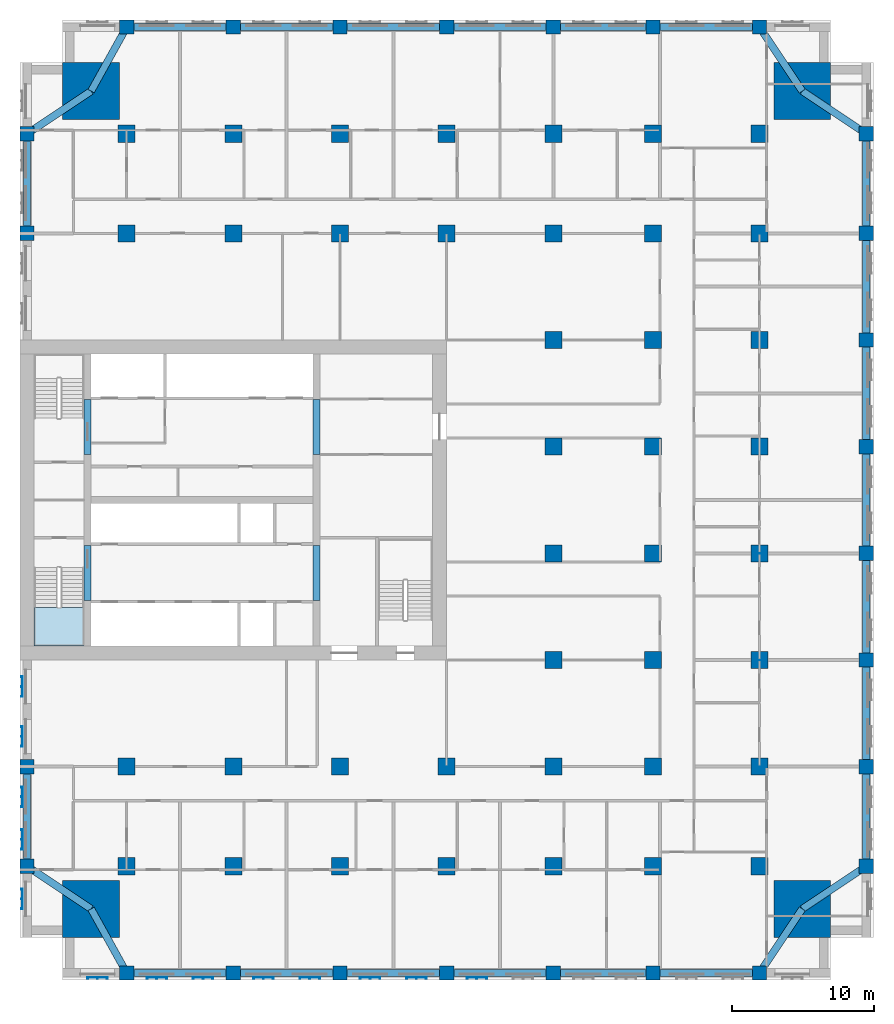
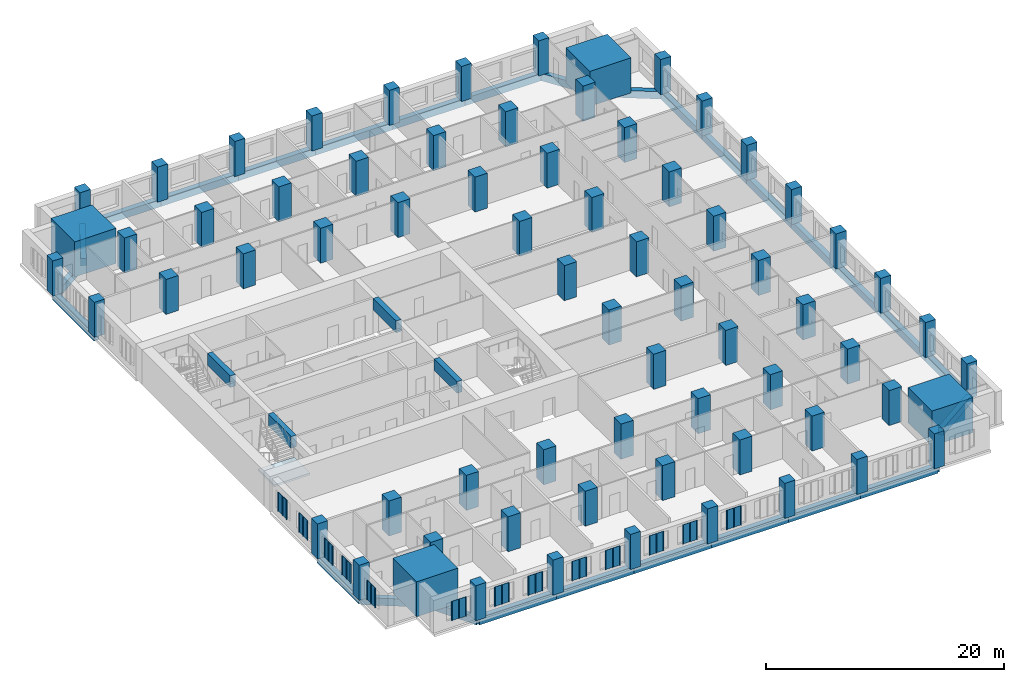
# One storey, part 1 of 14: 70 columns, 33 beams, 13 plates, 1 slab, 1 element without a shape of its own.
"""IFC4 building model written with IfcOpenShell, lengths in metres."""

from ifc_helpers import new_model, si_unit, direction, frame, origin, origin_2d, place, context, subcontext, project, spatial, polyline, rectangle, outline, extrude, material, layer, layer_set, material_profile, profile_set, type_object, element, aggregate, save


model = new_model("IFC4")

# Units and contexts
model_context = context("Model", 3, precision=1e-05, world=origin(), true_north=direction((0.0, 1.0)))
body_context = subcontext(model_context, "Body", "Model", "MODEL_VIEW")
ifc_project = project(units=[si_unit("LENGTHUNIT", "METRE"), si_unit("AREAUNIT", "SQUARE_METRE"), si_unit("VOLUMEUNIT", "CUBIC_METRE"), si_unit("PLANEANGLEUNIT", "RADIAN"), si_unit("MASSUNIT", "GRAM", prefix="KILO")], contexts=[model_context])

# Site, building, storey
site_placement = place(None, origin())
site = spatial("IfcSite", under=ifc_project, at=site_placement, CompositionType="ELEMENT")
building_placement = place(site_placement, origin())
building = spatial("IfcBuilding", under=site, at=building_placement, Name="Tamorin Gate", CompositionType="ELEMENT")
storey_placement = place(building_placement, frame((0.0, 0.0, 66.39990234375)))
storey = spatial("IfcBuildingStorey", under=building, at=storey_placement, Name="L15", CompositionType="ELEMENT", Elevation=66.39990234375)

# Columns
ifc_material_1 = material(Name="Concrete C80/95", Category="concrete")
ifc_material_profile_1 = material_profile(ifc_material_1, rectangle(XDim=1.0, YDim=1.0, at=origin_2d()), Name="RC 1000x1000")
ifc_profile_set_1 = profile_set([ifc_material_profile_1], Name="Concrete C80/95")
column_type_1 = type_object("IfcColumnType", Name="RC column 1000x1000 C80/95", PredefinedType="COLUMN", material=ifc_profile_set_1)
for number, where, z_axis, x_axis, name in (
    (1, (30.5, 45.5, 0.0), (0.0, 0.0, 1.0), (1.0, 0.0, 0.0), "Ring column L15"),
    (2, (30.5, 52.5, 0.0), (0.0, 0.0, 1.0), (1.0, 0.0, 0.0), "Ring column L15"),
    (3, (30.5, 90.0, 0.0), (0.0, 0.0, 1.0), (1.0, 0.0, 0.0), "Ring column L15"),
    (4, (30.5, 97.0, 0.0), (0.0, 0.0, 1.0), (1.0, 0.0, 0.0), "Ring column L15"),
    (5, (37.5, 38.0, 0.0), (0.0, 0.0, 1.0), (1.0, 0.0, 0.0), "Ring column L15"),
    (6, (37.5, 104.5, 0.0), (0.0, 0.0, 1.0), (1.0, 0.0, 0.0), "Ring column L15"),
    (7, (45.0, 38.0, 0.0), (0.0, 0.0, 1.0), (1.0, 0.0, 0.0), "Ring column L15"),
    (8, (45.0, 104.5, 0.0), (0.0, 0.0, 1.0), (1.0, 0.0, 0.0), "Ring column L15"),
    (9, (52.5, 38.0, 0.0), (0.0, 0.0, 1.0), (1.0, 0.0, 0.0), "Ring column L15"),
    (10, (52.5, 104.5, 0.0), (0.0, 0.0, 1.0), (1.0, 0.0, 0.0), "Ring column L15"),
    (11, (60.0, 38.0, 0.0), (0.0, 0.0, 1.0), (1.0, 0.0, 0.0), "Ring column L15"),
    (12, (60.0, 104.5, 0.0), (0.0, 0.0, 1.0), (1.0, 0.0, 0.0), "Ring column L15"),
    (13, (67.5, 38.0, 0.0), (0.0, 0.0, 1.0), (1.0, 0.0, 0.0), "Ring column L15"),
    (14, (67.5, 104.5, 0.0), (0.0, 0.0, 1.0), (1.0, 0.0, 0.0), "Ring column L15"),
    (15, (74.5, 38.0, 0.0), (0.0, 0.0, 1.0), (1.0, 0.0, 0.0), "Ring column L15"),
    (16, (74.5, 104.5, 0.0), (0.0, 0.0, 1.0), (1.0, 0.0, 0.0), "Ring column L15"),
    (17, (82.0, 38.0, 0.0), (0.0, 0.0, 1.0), (1.0, 0.0, 0.0), "Ring column L15"),
    (18, (82.0, 104.5, 0.0), (0.0, 0.0, 1.0), (1.0, 0.0, 0.0), "Ring column L15"),
    (19, (89.5, 45.5, 0.0), (0.0, 0.0, 1.0), (1.0, 0.0, 0.0), "Ring column L15"),
    (20, (89.5, 52.5, 0.0), (0.0, 0.0, 1.0), (1.0, 0.0, 0.0), "Ring column L15"),
    (21, (89.5, 60.0, 0.0), (0.0, 0.0, 1.0), (1.0, 0.0, 0.0), "Ring column L15"),
    (22, (89.5, 67.5, 0.0), (0.0, 0.0, 1.0), (1.0, 0.0, 0.0), "Ring column L15"),
    (23, (89.5, 75.0, 0.0), (0.0, 0.0, 1.0), (1.0, 0.0, 0.0), "Ring column L15"),
    (24, (89.5, 82.5, 0.0), (0.0, 0.0, 1.0), (1.0, 0.0, 0.0), "Ring column L15"),
    (25, (89.5, 90.0, 0.0), (0.0, 0.0, 1.0), (1.0, 0.0, 0.0), "Ring column L15"),
    (26, (89.5, 97.0, 0.0), (0.0, 0.0, 1.0), (1.0, 0.0, 0.0), "Ring column L15"),
):
    element("IfcColumn", number, at=place(storey_placement, frame(where, z_axis=z_axis, x_axis=x_axis)), inside=storey, type_object=column_type_1, Name=name, PredefinedType="COLUMN", context=body_context, shape_type="SweptSolid", body=[
        extrude(rectangle(XDim=1.0, YDim=1.0, at=origin_2d()), origin(), (0.0, 0.0, 1.0), 3.60009765625),
    ])
ifc_material_profile_2 = material_profile(ifc_material_1, rectangle(XDim=1.199951171875, YDim=1.199951171875, at=origin_2d()), Name="RC 1200x1200")
ifc_profile_set_2 = profile_set([ifc_material_profile_2], Name="Concrete C80/95")
column_type_2 = type_object("IfcColumnType", Name="RC column 1200x1200 C80/95", PredefinedType="COLUMN", material=ifc_profile_set_2)
for number, where, z_axis, x_axis, name in (
    (27, (37.5, 45.5, 0.0), (0.0, 0.0, 1.0), (1.0, 0.0, 0.0), "Interior column L15"),
    (28, (37.5, 52.5, 0.0), (0.0, 0.0, 1.0), (1.0, 0.0, 0.0), "Interior column L15"),
    (29, (37.5, 90.0, 0.0), (0.0, 0.0, 1.0), (1.0, 0.0, 0.0), "Interior column L15"),
    (30, (37.5, 97.0, 0.0), (0.0, 0.0, 1.0), (1.0, 0.0, 0.0), "Interior column L15"),
    (31, (45.0, 45.5, 0.0), (0.0, 0.0, 1.0), (1.0, 0.0, 0.0), "Interior column L15"),
    (32, (45.0, 52.5, 0.0), (0.0, 0.0, 1.0), (1.0, 0.0, 0.0), "Interior column L15"),
    (33, (45.0, 90.0, 0.0), (0.0, 0.0, 1.0), (1.0, 0.0, 0.0), "Interior column L15"),
    (34, (45.0, 97.0, 0.0), (0.0, 0.0, 1.0), (1.0, 0.0, 0.0), "Interior column L15"),
    (35, (52.5, 45.5, 0.0), (0.0, 0.0, 1.0), (1.0, 0.0, 0.0), "Interior column L15"),
    (36, (52.5, 52.5, 0.0), (0.0, 0.0, 1.0), (1.0, 0.0, 0.0), "Interior column L15"),
    (37, (52.5, 90.0, 0.0), (0.0, 0.0, 1.0), (1.0, 0.0, 0.0), "Interior column L15"),
    (38, (52.5, 97.0, 0.0), (0.0, 0.0, 1.0), (1.0, 0.0, 0.0), "Interior column L15"),
    (39, (60.0, 45.5, 0.0), (0.0, 0.0, 1.0), (1.0, 0.0, 0.0), "Interior column L15"),
    (40, (60.0, 52.5, 0.0), (0.0, 0.0, 1.0), (1.0, 0.0, 0.0), "Interior column L15"),
    (41, (60.0, 90.0, 0.0), (0.0, 0.0, 1.0), (1.0, 0.0, 0.0), "Interior column L15"),
    (42, (60.0, 97.0, 0.0), (0.0, 0.0, 1.0), (1.0, 0.0, 0.0), "Interior column L15"),
    (43, (67.5, 45.5, 0.0), (0.0, 0.0, 1.0), (1.0, 0.0, 0.0), "Interior column L15"),
    (44, (67.5, 52.5, 0.0), (0.0, 0.0, 1.0), (1.0, 0.0, 0.0), "Interior column L15"),
    (45, (67.5, 60.0, 0.0), (0.0, 0.0, 1.0), (1.0, 0.0, 0.0), "Interior column L15"),
    (46, (67.5, 67.5, 0.0), (0.0, 0.0, 1.0), (1.0, 0.0, 0.0), "Interior column L15"),
    (47, (67.5, 75.0, 0.0), (0.0, 0.0, 1.0), (1.0, 0.0, 0.0), "Interior column L15"),
    (48, (67.5, 82.5, 0.0), (0.0, 0.0, 1.0), (1.0, 0.0, 0.0), "Interior column L15"),
    (49, (67.5, 90.0, 0.0), (0.0, 0.0, 1.0), (1.0, 0.0, 0.0), "Interior column L15"),
    (50, (67.5, 97.0, 0.0), (0.0, 0.0, 1.0), (1.0, 0.0, 0.0), "Interior column L15"),
    (51, (74.5, 45.5, 0.0), (0.0, 0.0, 1.0), (1.0, 0.0, 0.0), "Interior column L15"),
    (52, (74.5, 52.5, 0.0), (0.0, 0.0, 1.0), (1.0, 0.0, 0.0), "Interior column L15"),
    (53, (74.5, 60.0, 0.0), (0.0, 0.0, 1.0), (1.0, 0.0, 0.0), "Interior column L15"),
    (54, (74.5, 67.5, 0.0), (0.0, 0.0, 1.0), (1.0, 0.0, 0.0), "Interior column L15"),
    (55, (74.5, 75.0, 0.0), (0.0, 0.0, 1.0), (1.0, 0.0, 0.0), "Interior column L15"),
    (56, (74.5, 82.5, 0.0), (0.0, 0.0, 1.0), (1.0, 0.0, 0.0), "Interior column L15"),
    (57, (74.5, 90.0, 0.0), (0.0, 0.0, 1.0), (1.0, 0.0, 0.0), "Interior column L15"),
    (58, (74.5, 97.0, 0.0), (0.0, 0.0, 1.0), (1.0, 0.0, 0.0), "Interior column L15"),
    (59, (82.0, 45.5, 0.0), (0.0, 0.0, 1.0), (1.0, 0.0, 0.0), "Interior column L15"),
    (60, (82.0, 52.5, 0.0), (0.0, 0.0, 1.0), (1.0, 0.0, 0.0), "Interior column L15"),
    (61, (82.0, 60.0, 0.0), (0.0, 0.0, 1.0), (1.0, 0.0, 0.0), "Interior column L15"),
    (62, (82.0, 67.5, 0.0), (0.0, 0.0, 1.0), (1.0, 0.0, 0.0), "Interior column L15"),
    (63, (82.0, 75.0, 0.0), (0.0, 0.0, 1.0), (1.0, 0.0, 0.0), "Interior column L15"),
    (64, (82.0, 82.5, 0.0), (0.0, 0.0, 1.0), (1.0, 0.0, 0.0), "Interior column L15"),
    (65, (82.0, 90.0, 0.0), (0.0, 0.0, 1.0), (1.0, 0.0, 0.0), "Interior column L15"),
    (66, (82.0, 97.0, 0.0), (0.0, 0.0, 1.0), (1.0, 0.0, 0.0), "Interior column L15"),
):
    element("IfcColumn", number, at=place(storey_placement, frame(where, z_axis=z_axis, x_axis=x_axis)), inside=storey, type_object=column_type_2, Name=name, PredefinedType="COLUMN", context=body_context, shape_type="SweptSolid", body=[
        extrude(rectangle(XDim=1.199951171875, YDim=1.199951171875, at=origin_2d()), origin(), (0.0, 0.0, 1.0), 3.60009765625),
    ])
ifc_material_profile_3 = material_profile(ifc_material_1, rectangle(XDim=4.0, YDim=4.0, at=origin_2d()), Name="RC 4000x4000")
ifc_profile_set_3 = profile_set([ifc_material_profile_3], Name="Concrete C80/95")
column_type_3 = type_object("IfcColumnType", Name="RC column 4000x4000 C80/95", PredefinedType="COLUMN", material=ifc_profile_set_3)
for number, where, z_axis, x_axis, name in (
    (67, (35.0, 42.5, 0.0), (0.0, 0.0, 1.0), (1.0, 0.0, 0.0), "Mega column SW L15"),
    (68, (85.0, 42.5, 0.0), (0.0, 0.0, 1.0), (1.0, 0.0, 0.0), "Mega column SE L15"),
    (69, (35.0, 100.0, 0.0), (0.0, 0.0, 1.0), (1.0, 0.0, 0.0), "Mega column NW L15"),
    (70, (85.0, 100.0, 0.0), (0.0, 0.0, 1.0), (1.0, 0.0, 0.0), "Mega column NE L15"),
):
    element("IfcColumn", number, at=place(storey_placement, frame(where, z_axis=z_axis, x_axis=x_axis)), inside=storey, type_object=column_type_3, Name=name, PredefinedType="COLUMN", context=body_context, shape_type="SweptSolid", body=[
        extrude(rectangle(XDim=4.0, YDim=4.0, at=origin_2d()), origin(), (0.0, 0.0, 1.0), 3.60009765625),
    ])

# Beams
ifc_material_profile_4 = material_profile(ifc_material_1, rectangle(XDim=0.5, YDim=1.199951171875, at=origin_2d()), Name="RC 500x1200")
ifc_profile_set_4 = profile_set([ifc_material_profile_4], Name="Concrete C80/95")
beam_type_1 = type_object("IfcBeamType", Name="RC coupling beam 500x1200 C80/95", PredefinedType="BEAM", material=ifc_profile_set_4)
for number, where, z_axis, x_axis, name in (
    (71, (34.75, 64.199951171875, 3.0), (0.0, 1.0, 0.0), (-1.0, 0.0, 0.0), "Coupling beam L15"),
    (72, (34.75, 74.449951171875, 3.0), (0.0, 1.0, 0.0), (-1.0, 0.0, 0.0), "Coupling beam L15"),
    (73, (50.85009765625, 64.199951171875, 3.0), (0.0, 1.0, 0.0), (-1.0, 0.0, 0.0), "Coupling beam L15"),
    (74, (50.85009765625, 74.449951171875, 3.0), (0.0, 1.0, 0.0), (-1.0, 0.0, 0.0), "Coupling beam L15"),
):
    element("IfcBeam", number, at=place(storey_placement, frame(where, z_axis=z_axis, x_axis=x_axis)), inside=storey, type_object=beam_type_1, Name=name, PredefinedType="BEAM", context=body_context, shape_type="SweptSolid", body=[
        extrude(rectangle(XDim=0.5, YDim=1.199951171875, at=origin_2d()), origin(), (0.0, 0.0, 1.0), 3.85009765625),
    ])
ifc_material_2 = material(Name="Concrete C50/60", Category="concrete")
ifc_material_profile_5 = material_profile(ifc_material_2, rectangle(XDim=0.5, YDim=0.75, at=origin_2d()), Name="RC 500x750")
ifc_profile_set_5 = profile_set([ifc_material_profile_5], Name="Concrete C50/60")
beam_type_2 = type_object("IfcBeamType", Name="RC spandrel 500x750 C50/60", PredefinedType="BEAM", material=ifc_profile_set_5)
for number, where, z_axis, x_axis, name in (
    (75, (37.5, 38.0, -0.375), (1.0, 0.0, 0.0), (0.0, 1.0, 0.0), "Spandrel beam L15"),
    (76, (45.0, 38.0, -0.375), (1.0, 0.0, 0.0), (0.0, 1.0, 0.0), "Spandrel beam L15"),
    (77, (52.5, 38.0, -0.375), (1.0, 0.0, 0.0), (0.0, 1.0, 0.0), "Spandrel beam L15"),
    (78, (60.0, 38.0, -0.375), (1.0, 0.0, 0.0), (0.0, 1.0, 0.0), "Spandrel beam L15"),
):
    element("IfcBeam", number, at=place(storey_placement, frame(where, z_axis=z_axis, x_axis=x_axis)), inside=storey, type_object=beam_type_2, Name=name, PredefinedType="BEAM", context=body_context, shape_type="SweptSolid", body=[
        extrude(rectangle(XDim=0.5, YDim=0.75, at=origin_2d()), origin(), (0.0, 0.0, 1.0), 7.5),
    ])
beam_1_placement = place(storey_placement, frame((67.5, 38.0, -0.375), z_axis=(1.0, 0.0, 0.0), x_axis=(0.0, 1.0, 0.0)))
element("IfcBeam", 79, at=beam_1_placement, inside=storey, type_object=beam_type_2, Name="Spandrel beam L15", PredefinedType="BEAM", context=body_context, shape_type="SweptSolid", body=[
    extrude(rectangle(XDim=0.5, YDim=0.75, at=origin_2d()), origin(), (0.0, 0.0, 1.0), 7.0),
])
beam_2_placement = place(storey_placement, frame((74.5, 38.0, -0.375), z_axis=(1.0, 0.0, 0.0), x_axis=(0.0, 1.0, 0.0)))
element("IfcBeam", 80, at=beam_2_placement, inside=storey, type_object=beam_type_2, Name="Spandrel beam L15", PredefinedType="BEAM", context=body_context, shape_type="SweptSolid", body=[
    extrude(rectangle(XDim=0.5, YDim=0.75, at=origin_2d()), origin(), (0.0, 0.0, 1.0), 7.5),
])
beam_3_placement = place(storey_placement, frame((89.5, 45.5, -0.375), z_axis=(0.0, 1.0, 0.0), x_axis=(-1.0, 0.0, 0.0)))
element("IfcBeam", 81, at=beam_3_placement, inside=storey, type_object=beam_type_2, Name="Spandrel beam L15", PredefinedType="BEAM", context=body_context, shape_type="SweptSolid", body=[
    extrude(rectangle(XDim=0.5, YDim=0.75, at=origin_2d()), origin(), (0.0, 0.0, 1.0), 7.0),
])
for number, where, z_axis, x_axis, name in (
    (82, (89.5, 52.5, -0.375), (0.0, 1.0, 0.0), (-1.0, 0.0, 0.0), "Spandrel beam L15"),
    (83, (89.5, 60.0, -0.375), (0.0, 1.0, 0.0), (-1.0, 0.0, 0.0), "Spandrel beam L15"),
    (84, (89.5, 67.5, -0.375), (0.0, 1.0, 0.0), (-1.0, 0.0, 0.0), "Spandrel beam L15"),
    (85, (89.5, 75.0, -0.375), (0.0, 1.0, 0.0), (-1.0, 0.0, 0.0), "Spandrel beam L15"),
    (86, (89.5, 82.5, -0.375), (0.0, 1.0, 0.0), (-1.0, 0.0, 0.0), "Spandrel beam L15"),
):
    element("IfcBeam", number, at=place(storey_placement, frame(where, z_axis=z_axis, x_axis=x_axis)), inside=storey, type_object=beam_type_2, Name=name, PredefinedType="BEAM", context=body_context, shape_type="SweptSolid", body=[
        extrude(rectangle(XDim=0.5, YDim=0.75, at=origin_2d()), origin(), (0.0, 0.0, 1.0), 7.5),
    ])
beam_4_placement = place(storey_placement, frame((89.5, 90.0, -0.375), z_axis=(0.0, 1.0, 0.0), x_axis=(-1.0, 0.0, 0.0)))
element("IfcBeam", 87, at=beam_4_placement, inside=storey, type_object=beam_type_2, Name="Spandrel beam L15", PredefinedType="BEAM", context=body_context, shape_type="SweptSolid", body=[
    extrude(rectangle(XDim=0.5, YDim=0.75, at=origin_2d()), origin(), (0.0, 0.0, 1.0), 7.0),
])
beam_5_placement = place(storey_placement, frame((82.0, 104.5, -0.375), z_axis=(-1.0, 0.0, 0.0), x_axis=(0.0, -1.0, 0.0)))
element("IfcBeam", 88, at=beam_5_placement, inside=storey, type_object=beam_type_2, Name="Spandrel beam L15", PredefinedType="BEAM", context=body_context, shape_type="SweptSolid", body=[
    extrude(rectangle(XDim=0.5, YDim=0.75, at=origin_2d()), origin(), (0.0, 0.0, 1.0), 7.5),
])
beam_6_placement = place(storey_placement, frame((74.5, 104.5, -0.375), z_axis=(-1.0, 0.0, 0.0), x_axis=(0.0, -1.0, 0.0)))
element("IfcBeam", 89, at=beam_6_placement, inside=storey, type_object=beam_type_2, Name="Spandrel beam L15", PredefinedType="BEAM", context=body_context, shape_type="SweptSolid", body=[
    extrude(rectangle(XDim=0.5, YDim=0.75, at=origin_2d()), origin(), (0.0, 0.0, 1.0), 7.0),
])
for number, where, z_axis, x_axis, name in (
    (90, (67.5, 104.5, -0.375), (-1.0, 0.0, 0.0), (0.0, -1.0, 0.0), "Spandrel beam L15"),
    (91, (60.0, 104.5, -0.375), (-1.0, 0.0, 0.0), (0.0, -1.0, 0.0), "Spandrel beam L15"),
    (92, (52.5, 104.5, -0.375), (-1.0, 0.0, 0.0), (0.0, -1.0, 0.0), "Spandrel beam L15"),
    (93, (45.0, 104.5, -0.375), (-1.0, 0.0, 0.0), (0.0, -1.0, 0.0), "Spandrel beam L15"),
):
    element("IfcBeam", number, at=place(storey_placement, frame(where, z_axis=z_axis, x_axis=x_axis)), inside=storey, type_object=beam_type_2, Name=name, PredefinedType="BEAM", context=body_context, shape_type="SweptSolid", body=[
        extrude(rectangle(XDim=0.5, YDim=0.75, at=origin_2d()), origin(), (0.0, 0.0, 1.0), 7.5),
    ])
for number, where, z_axis, x_axis, name in (
    (94, (30.5, 97.0, -0.375), (0.0, -1.0, 0.0), (1.0, 0.0, 0.0), "Spandrel beam L15"),
    (95, (30.5, 52.5, -0.375), (0.0, -1.0, 0.0), (1.0, 0.0, 0.0), "Spandrel beam L15"),
):
    element("IfcBeam", number, at=place(storey_placement, frame(where, z_axis=z_axis, x_axis=x_axis)), inside=storey, type_object=beam_type_2, Name=name, PredefinedType="BEAM", context=body_context, shape_type="SweptSolid", body=[
        extrude(rectangle(XDim=0.5, YDim=0.75, at=origin_2d()), origin(), (0.0, 0.0, 1.0), 7.0),
    ])
beam_7_placement = place(storey_placement, frame((35.0, 42.5, -0.375), z_axis=(0.485642931179, -0.874157276122, 0.0), x_axis=(0.874157276122, 0.485642931179, 0.0)))
element("IfcBeam", 96, at=beam_7_placement, inside=storey, type_object=beam_type_2, Name="Corner tie beam L15", PredefinedType="BEAM", context=body_context, shape_type="SweptSolid", body=[
    extrude(rectangle(XDim=0.5, YDim=0.75, at=origin_2d()), origin(), (0.0, 0.0, 1.0), 5.147705078125),
])
for number, where, z_axis, x_axis, name in (
    (97, (35.0, 42.5, -0.375), (-0.832050294338, 0.554700196225, 0.0), (-0.554700196225, -0.832050294338, 0.0), "Corner tie beam L15"),
    (98, (85.0, 42.5, -0.375), (-0.554700196225, -0.832050294338, 0.0), (0.832050294338, -0.554700196225, 0.0), "Corner tie beam L15"),
    (99, (85.0, 42.5, -0.375), (0.832050294338, 0.554700196225, 0.0), (-0.554700196225, 0.832050294338, 0.0), "Corner tie beam L15"),
):
    element("IfcBeam", number, at=place(storey_placement, frame(where, z_axis=z_axis, x_axis=x_axis)), inside=storey, type_object=beam_type_2, Name=name, PredefinedType="BEAM", context=body_context, shape_type="SweptSolid", body=[
        extrude(rectangle(XDim=0.5, YDim=0.75, at=origin_2d()), origin(), (0.0, 0.0, 1.0), 5.408447265625),
    ])
beam_8_placement = place(storey_placement, frame((35.0, 100.0, -0.375), z_axis=(0.485642931179, 0.874157276122, 0.0), x_axis=(-0.874157276122, 0.485642931179, 0.0)))
element("IfcBeam", 100, at=beam_8_placement, inside=storey, type_object=beam_type_2, Name="Corner tie beam L15", PredefinedType="BEAM", context=body_context, shape_type="SweptSolid", body=[
    extrude(rectangle(XDim=0.5, YDim=0.75, at=origin_2d()), origin(), (0.0, 0.0, 1.0), 5.147705078125),
])
for number, where, z_axis, x_axis, name in (
    (101, (35.0, 100.0, -0.375), (-0.832050294338, -0.554700196225, 0.0), (0.554700196225, -0.832050294338, 0.0), "Corner tie beam L15"),
    (102, (85.0, 100.0, -0.375), (-0.554700196225, 0.832050294338, 0.0), (-0.832050294338, -0.554700196225, 0.0), "Corner tie beam L15"),
    (103, (85.0, 100.0, -0.375), (0.832050294338, -0.554700196225, 0.0), (0.554700196225, 0.832050294338, 0.0), "Corner tie beam L15"),
):
    element("IfcBeam", number, at=place(storey_placement, frame(where, z_axis=z_axis, x_axis=x_axis)), inside=storey, type_object=beam_type_2, Name=name, PredefinedType="BEAM", context=body_context, shape_type="SweptSolid", body=[
        extrude(rectangle(XDim=0.5, YDim=0.75, at=origin_2d()), origin(), (0.0, 0.0, 1.0), 5.408447265625),
    ])

# Stair, slab
ifc_material_3 = material(Name="Concrete C40/50", Category="concrete")
stair_type = type_object("IfcStairType", Name="Exit stair", PredefinedType="HALF_TURN_STAIR", material=ifc_material_3)
stair_placement = place(storey_placement, origin())
stair = element("IfcStair", 104, at=stair_placement, inside=storey, type_object=stair_type, Name="L15 stair ST1", PredefinedType="HALF_TURN_STAIR")
ifc_layer_1 = layer(ifc_material_3, 0.199951171875)
ifc_layer_set_1 = layer_set([ifc_layer_1], Name="Exit stair landing 200")
slab_type = type_object("IfcSlabType", Name="Exit stair landing 200", PredefinedType="LANDING", material=ifc_layer_set_1)
slab_placement = place(storey_placement, frame((0.0, 0.0, 1.60009765625)))
slab = element("IfcSlab", 105, at=slab_placement, type_object=slab_type, Name="ST1 landing 1", PredefinedType="LANDING", context=body_context, shape_type="SweptSolid", body=[
    extrude(outline(polyline([(31.0, 63.699951171875), (31.0, 61.0), (34.5, 61.0), (34.5, 63.699951171875), (31.0, 63.699951171875)])), origin(), (0.0, 0.0, 1.0), 0.199951171875),
])
aggregate(stair, [slab])

# Plates
ifc_material_4 = material(Name="Perforated pale aluminium sheet", Category="aluminium")
ifc_layer_2 = layer(ifc_material_4, 0.0400390625)
ifc_layer_set_2 = layer_set([ifc_layer_2], Name="Pale metal solar screen 1440")
plate_type = type_object("IfcPlateType", Name="Pale metal solar screen 1440", PredefinedType="SHEET", material=ifc_layer_set_2)
plate_1_placement = place(storey_placement, frame((0.0, 0.0, 0.710205078125)))
element("IfcPlate", 106, at=plate_1_placement, inside=storey, type_object=plate_type, Name="Perforated solar screen", PredefinedType="SHEET", context=body_context, shape_type="SweptSolid", body=[
    extrude(outline(polyline([(34.72998046875, 37.659912109375), (34.72998046875, 37.699951171875), (34.7900390625, 37.699951171875), (35.419921875, 37.699951171875), (35.47998046875, 37.699951171875), (36.110107421875, 37.699951171875), (36.169921875, 37.699951171875), (36.169921875, 37.659912109375), (36.169921875, 37.60009765625), (36.110107421875, 37.60009765625), (36.110107421875, 37.659912109375), (35.47998046875, 37.659912109375), (35.47998046875, 37.60009765625), (35.419921875, 37.60009765625), (35.419921875, 37.659912109375), (34.7900390625, 37.659912109375), (34.7900390625, 37.60009765625), (34.72998046875, 37.60009765625), (34.72998046875, 37.659912109375)])), origin(), (0.0, 0.0, 1.0), 1.97998046875),
])
plate_2_placement = place(storey_placement, frame((0.0, 0.0, 0.710205078125)))
element("IfcPlate", 107, at=plate_2_placement, inside=storey, type_object=plate_type, Name="Perforated solar screen", PredefinedType="SHEET", context=body_context, shape_type="SweptSolid", body=[
    extrude(outline(polyline([(38.905029296875, 37.659912109375), (38.905029296875, 37.699951171875), (38.965087890625, 37.699951171875), (39.594970703125, 37.699951171875), (39.655029296875, 37.699951171875), (40.284912109375, 37.699951171875), (40.344970703125, 37.699951171875), (40.344970703125, 37.699951171875), (40.344970703125, 37.659912109375), (40.344970703125, 37.659912109375), (40.344970703125, 37.60009765625), (40.284912109375, 37.60009765625), (40.284912109375, 37.659912109375), (39.655029296875, 37.659912109375), (39.655029296875, 37.60009765625), (39.594970703125, 37.60009765625), (39.594970703125, 37.659912109375), (38.965087890625, 37.659912109375), (38.965087890625, 37.60009765625), (38.905029296875, 37.60009765625), (38.905029296875, 37.659912109375)])), origin(), (0.0, 0.0, 1.0), 1.97998046875),
])
plate_3_placement = place(storey_placement, frame((0.0, 0.0, 0.710205078125)))
element("IfcPlate", 108, at=plate_3_placement, inside=storey, type_object=plate_type, Name="Perforated solar screen", PredefinedType="SHEET", context=body_context, shape_type="SweptSolid", body=[
    extrude(outline(polyline([(42.155029296875, 37.659912109375), (42.155029296875, 37.699951171875), (42.215087890625, 37.699951171875), (42.844970703125, 37.699951171875), (42.905029296875, 37.699951171875), (43.534912109375, 37.699951171875), (43.594970703125, 37.699951171875), (43.594970703125, 37.659912109375), (43.594970703125, 37.60009765625), (43.534912109375, 37.60009765625), (43.534912109375, 37.659912109375), (42.905029296875, 37.659912109375), (42.905029296875, 37.60009765625), (42.844970703125, 37.60009765625), (42.844970703125, 37.659912109375), (42.215087890625, 37.659912109375), (42.215087890625, 37.60009765625), (42.155029296875, 37.60009765625), (42.155029296875, 37.659912109375)])), origin(), (0.0, 0.0, 1.0), 1.97998046875),
])
plate_4_placement = place(storey_placement, frame((0.0, 0.0, 0.710205078125)))
element("IfcPlate", 109, at=plate_4_placement, inside=storey, type_object=plate_type, Name="Perforated solar screen", PredefinedType="SHEET", context=body_context, shape_type="SweptSolid", body=[
    extrude(outline(polyline([(46.405029296875, 37.659912109375), (46.405029296875, 37.699951171875), (46.465087890625, 37.699951171875), (47.094970703125, 37.699951171875), (47.155029296875, 37.699951171875), (47.784912109375, 37.699951171875), (47.844970703125, 37.699951171875), (47.844970703125, 37.659912109375), (47.844970703125, 37.60009765625), (47.784912109375, 37.60009765625), (47.784912109375, 37.659912109375), (47.155029296875, 37.659912109375), (47.155029296875, 37.60009765625), (47.094970703125, 37.60009765625), (47.094970703125, 37.659912109375), (46.465087890625, 37.659912109375), (46.465087890625, 37.60009765625), (46.405029296875, 37.60009765625), (46.405029296875, 37.659912109375)])), origin(), (0.0, 0.0, 1.0), 1.97998046875),
])
plate_5_placement = place(storey_placement, frame((0.0, 0.0, 0.710205078125)))
element("IfcPlate", 110, at=plate_5_placement, inside=storey, type_object=plate_type, Name="Perforated solar screen", PredefinedType="SHEET", context=body_context, shape_type="SweptSolid", body=[
    extrude(outline(polyline([(49.655029296875, 37.659912109375), (49.655029296875, 37.699951171875), (49.715087890625, 37.699951171875), (50.344970703125, 37.699951171875), (50.405029296875, 37.699951171875), (51.034912109375, 37.699951171875), (51.094970703125, 37.699951171875), (51.094970703125, 37.659912109375), (51.094970703125, 37.60009765625), (51.034912109375, 37.60009765625), (51.034912109375, 37.659912109375), (50.405029296875, 37.659912109375), (50.405029296875, 37.60009765625), (50.344970703125, 37.60009765625), (50.344970703125, 37.659912109375), (49.715087890625, 37.659912109375), (49.715087890625, 37.60009765625), (49.655029296875, 37.60009765625), (49.655029296875, 37.659912109375)])), origin(), (0.0, 0.0, 1.0), 1.97998046875),
])
plate_6_placement = place(storey_placement, frame((0.0, 0.0, 0.710205078125)))
element("IfcPlate", 111, at=plate_6_placement, inside=storey, type_object=plate_type, Name="Perforated solar screen", PredefinedType="SHEET", context=body_context, shape_type="SweptSolid", body=[
    extrude(outline(polyline([(53.905029296875, 37.659912109375), (53.905029296875, 37.699951171875), (53.965087890625, 37.699951171875), (54.594970703125, 37.699951171875), (54.655029296875, 37.699951171875), (55.284912109375, 37.699951171875), (55.344970703125, 37.699951171875), (55.344970703125, 37.659912109375), (55.344970703125, 37.60009765625), (55.284912109375, 37.60009765625), (55.284912109375, 37.659912109375), (54.655029296875, 37.659912109375), (54.655029296875, 37.60009765625), (54.594970703125, 37.60009765625), (54.594970703125, 37.659912109375), (53.965087890625, 37.659912109375), (53.965087890625, 37.60009765625), (53.905029296875, 37.60009765625), (53.905029296875, 37.659912109375)])), origin(), (0.0, 0.0, 1.0), 1.97998046875),
])
plate_7_placement = place(storey_placement, frame((0.0, 0.0, 0.710205078125)))
element("IfcPlate", 112, at=plate_7_placement, inside=storey, type_object=plate_type, Name="Perforated solar screen", PredefinedType="SHEET", context=body_context, shape_type="SweptSolid", body=[
    extrude(outline(polyline([(57.155029296875, 37.659912109375), (57.155029296875, 37.699951171875), (57.215087890625, 37.699951171875), (57.844970703125, 37.699951171875), (57.905029296875, 37.699951171875), (58.534912109375, 37.699951171875), (58.594970703125, 37.699951171875), (58.594970703125, 37.659912109375), (58.594970703125, 37.60009765625), (58.534912109375, 37.60009765625), (58.534912109375, 37.659912109375), (57.905029296875, 37.659912109375), (57.905029296875, 37.60009765625), (57.844970703125, 37.60009765625), (57.844970703125, 37.659912109375), (57.215087890625, 37.659912109375), (57.215087890625, 37.60009765625), (57.155029296875, 37.60009765625), (57.155029296875, 37.659912109375)])), origin(), (0.0, 0.0, 1.0), 1.97998046875),
])
plate_8_placement = place(storey_placement, frame((0.0, 0.0, 0.710205078125)))
element("IfcPlate", 113, at=plate_8_placement, inside=storey, type_object=plate_type, Name="Perforated solar screen", PredefinedType="SHEET", context=body_context, shape_type="SweptSolid", body=[
    extrude(outline(polyline([(61.405029296875, 37.659912109375), (61.405029296875, 37.699951171875), (61.465087890625, 37.699951171875), (62.094970703125, 37.699951171875), (62.155029296875, 37.699951171875), (62.784912109375, 37.699951171875), (62.844970703125, 37.699951171875), (62.844970703125, 37.659912109375), (62.844970703125, 37.60009765625), (62.784912109375, 37.60009765625), (62.784912109375, 37.659912109375), (62.155029296875, 37.659912109375), (62.155029296875, 37.60009765625), (62.094970703125, 37.60009765625), (62.094970703125, 37.659912109375), (61.465087890625, 37.659912109375), (61.465087890625, 37.60009765625), (61.405029296875, 37.60009765625), (61.405029296875, 37.659912109375)])), origin(), (0.0, 0.0, 1.0), 1.97998046875),
])
plate_9_placement = place(storey_placement, frame((0.0, 0.0, 0.710205078125)))
element("IfcPlate", 114, at=plate_9_placement, inside=storey, type_object=plate_type, Name="Perforated solar screen", PredefinedType="SHEET", context=body_context, shape_type="SweptSolid", body=[
    extrude(outline(polyline([(30.159912109375, 55.344970703125), (30.199951171875, 55.344970703125), (30.199951171875, 55.284912109375), (30.199951171875, 54.655029296875), (30.199951171875, 54.594970703125), (30.199951171875, 53.965087890625), (30.199951171875, 53.905029296875), (30.159912109375, 53.905029296875), (30.10009765625, 53.905029296875), (30.10009765625, 53.965087890625), (30.159912109375, 53.965087890625), (30.159912109375, 54.594970703125), (30.10009765625, 54.594970703125), (30.10009765625, 54.655029296875), (30.159912109375, 54.655029296875), (30.159912109375, 55.284912109375), (30.10009765625, 55.284912109375), (30.10009765625, 55.344970703125), (30.159912109375, 55.344970703125)])), origin(), (0.0, 0.0, 1.0), 1.97998046875),
])
plate_10_placement = place(storey_placement, frame((0.0, 0.0, 0.710205078125)))
element("IfcPlate", 115, at=plate_10_placement, inside=storey, type_object=plate_type, Name="Perforated solar screen", PredefinedType="SHEET", context=body_context, shape_type="SweptSolid", body=[
    extrude(outline(polyline([(30.159912109375, 58.844970703125), (30.199951171875, 58.844970703125), (30.199951171875, 58.784912109375), (30.199951171875, 58.155029296875), (30.199951171875, 58.094970703125), (30.199951171875, 57.465087890625), (30.199951171875, 57.405029296875), (30.159912109375, 57.405029296875), (30.10009765625, 57.405029296875), (30.10009765625, 57.465087890625), (30.159912109375, 57.465087890625), (30.159912109375, 58.094970703125), (30.10009765625, 58.094970703125), (30.10009765625, 58.155029296875), (30.159912109375, 58.155029296875), (30.159912109375, 58.784912109375), (30.10009765625, 58.784912109375), (30.10009765625, 58.844970703125), (30.159912109375, 58.844970703125)])), origin(), (0.0, 0.0, 1.0), 1.97998046875),
])
plate_11_placement = place(storey_placement, frame((0.0, 0.0, 0.710205078125)))
element("IfcPlate", 116, at=plate_11_placement, inside=storey, type_object=plate_type, Name="Perforated solar screen", PredefinedType="SHEET", context=body_context, shape_type="SweptSolid", body=[
    extrude(outline(polyline([(30.159912109375, 48.094970703125), (30.199951171875, 48.094970703125), (30.199951171875, 48.034912109375), (30.199951171875, 47.405029296875), (30.199951171875, 47.344970703125), (30.199951171875, 46.715087890625), (30.199951171875, 46.655029296875), (30.159912109375, 46.655029296875), (30.10009765625, 46.655029296875), (30.10009765625, 46.715087890625), (30.159912109375, 46.715087890625), (30.159912109375, 47.344970703125), (30.10009765625, 47.344970703125), (30.10009765625, 47.405029296875), (30.159912109375, 47.405029296875), (30.159912109375, 48.034912109375), (30.10009765625, 48.034912109375), (30.10009765625, 48.094970703125), (30.159912109375, 48.094970703125)])), origin(), (0.0, 0.0, 1.0), 1.97998046875),
])
plate_12_placement = place(storey_placement, frame((0.0, 0.0, 0.710205078125)))
element("IfcPlate", 117, at=plate_12_placement, inside=storey, type_object=plate_type, Name="Perforated solar screen", PredefinedType="SHEET", context=body_context, shape_type="SweptSolid", body=[
    extrude(outline(polyline([(30.159912109375, 51.094970703125), (30.199951171875, 51.094970703125), (30.199951171875, 51.034912109375), (30.199951171875, 50.405029296875), (30.199951171875, 50.344970703125), (30.199951171875, 49.715087890625), (30.199951171875, 49.655029296875), (30.159912109375, 49.655029296875), (30.10009765625, 49.655029296875), (30.10009765625, 49.715087890625), (30.159912109375, 49.715087890625), (30.159912109375, 50.344970703125), (30.10009765625, 50.344970703125), (30.10009765625, 50.405029296875), (30.159912109375, 50.405029296875), (30.159912109375, 51.034912109375), (30.10009765625, 51.034912109375), (30.10009765625, 51.094970703125), (30.159912109375, 51.094970703125)])), origin(), (0.0, 0.0, 1.0), 1.97998046875),
])
plate_13_placement = place(storey_placement, frame((0.0, 0.0, 0.710205078125)))
element("IfcPlate", 118, at=plate_13_placement, inside=storey, type_object=plate_type, Name="Perforated solar screen", PredefinedType="SHEET", context=body_context, shape_type="SweptSolid", body=[
    extrude(outline(polyline([(30.159912109375, 43.919921875), (30.199951171875, 43.919921875), (30.199951171875, 43.860107421875), (30.199951171875, 43.22998046875), (30.199951171875, 43.169921875), (30.199951171875, 42.5400390625), (30.199951171875, 42.47998046875), (30.159912109375, 42.47998046875), (30.10009765625, 42.47998046875), (30.10009765625, 42.5400390625), (30.159912109375, 42.5400390625), (30.159912109375, 43.169921875), (30.10009765625, 43.169921875), (30.10009765625, 43.22998046875), (30.159912109375, 43.22998046875), (30.159912109375, 43.860107421875), (30.10009765625, 43.860107421875), (30.10009765625, 43.919921875), (30.159912109375, 43.919921875)])), origin(), (0.0, 0.0, 1.0), 1.97998046875),
])

save(model, "model.ifc")
